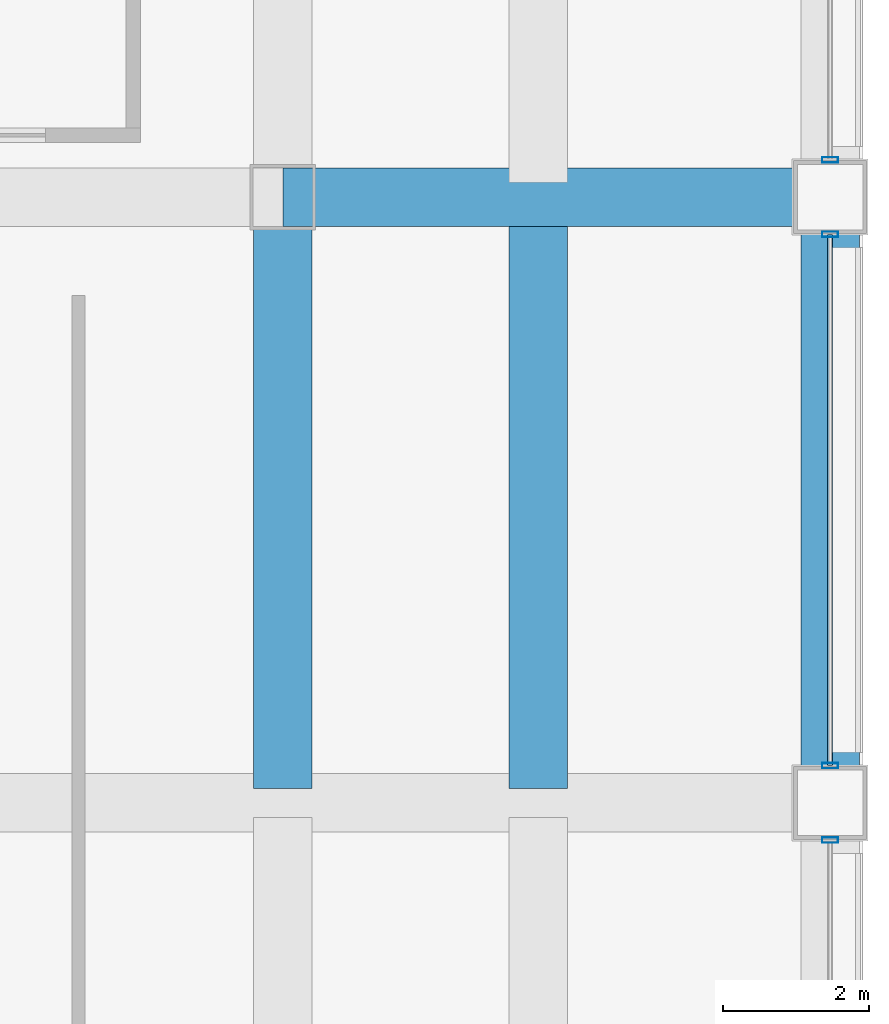
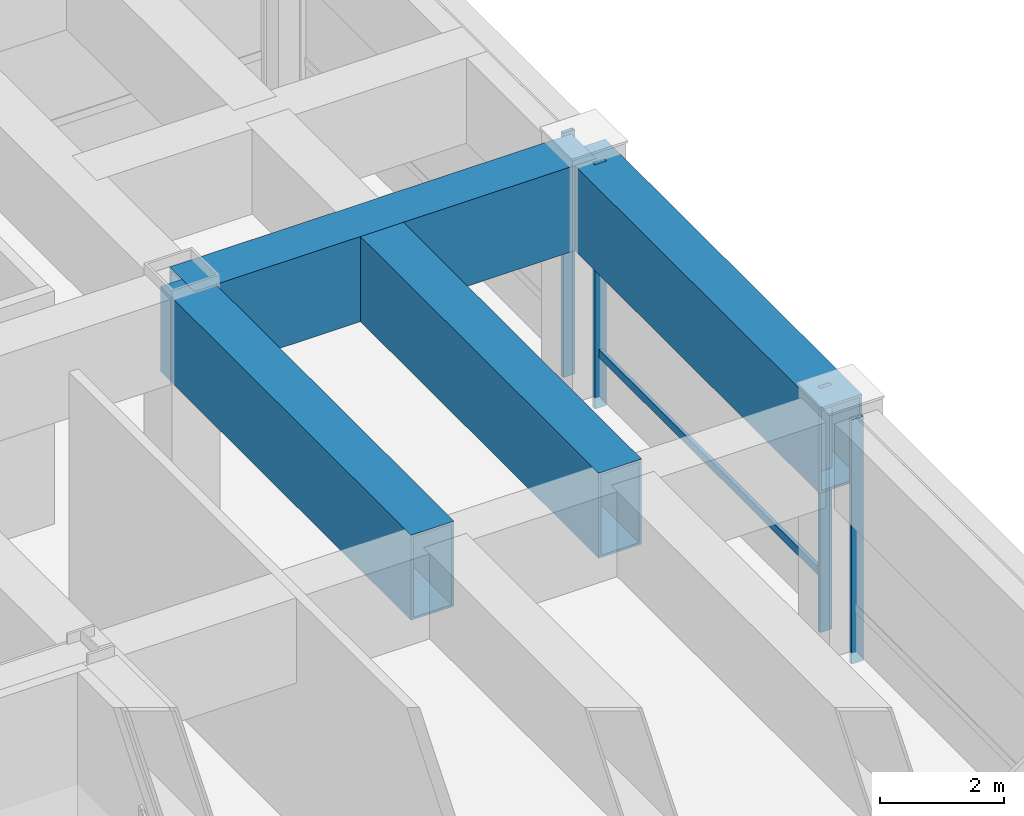
# One storey, part 21 of 30: 5 members, 4 beams, 3 elements without a shape of their own.
"""IFC4 building model written with IfcOpenShell, lengths in metres."""

from ifc_helpers import new_model, si_unit, direction, frame, origin, origin_2d, place, context, subcontext, project, spatial, hollow_rectangle, extrude, material, layer, layer_set, material_profile, profile_set, type_object, element, aggregate, save


model = new_model("IFC4")

# Units and contexts
model_context = context("Model", 3, precision=1e-05, world=origin(), true_north=direction((0.0, 1.0)))
body_context = subcontext(model_context, "Body", "Model", "MODEL_VIEW")
ifc_project = project(units=[si_unit("LENGTHUNIT", "METRE"), si_unit("AREAUNIT", "SQUARE_METRE"), si_unit("VOLUMEUNIT", "CUBIC_METRE"), si_unit("PLANEANGLEUNIT", "RADIAN"), si_unit("MASSUNIT", "GRAM", prefix="KILO")], contexts=[model_context])

# Site, building, storey
site_placement = place(None, origin())
site = spatial("IfcSite", under=ifc_project, at=site_placement, CompositionType="ELEMENT")
building_placement = place(site_placement, origin())
building = spatial("IfcBuilding", under=site, at=building_placement, Name="Brelmoor Portico Tower", CompositionType="ELEMENT")
storey_placement = place(building_placement, frame((0.0, 0.0, 19.199951171875)))
storey = spatial("IfcBuildingStorey", under=building, at=storey_placement, Name="L04", CompositionType="ELEMENT", Elevation=19.199951171875)

# Beams
ifc_material_1 = material(Name="Steel Q355B", Category="steel")
ifc_material_profile_1 = material_profile(ifc_material_1, hollow_rectangle(XDim=0.800048828125, YDim=1.679931640625, WallThickness=0.044921875, at=origin_2d()), Name="BOX 800x1680x45")
ifc_profile_set_1 = profile_set([ifc_material_profile_1], Name="Steel Q355B")
beam_type = type_object("IfcBeamType", Name="BM-TG-Z1", PredefinedType="BEAM", material=ifc_profile_set_1)
beam_1_placement = place(storey_placement, frame((28.550048828125, 9.75, 3.760009765625), z_axis=(0.0, 1.0, 0.0), x_axis=(-1.0, 0.0, 0.0)))
element("IfcBeam", 1, at=beam_1_placement, inside=storey, type_object=beam_type, Name="L04 Perimeter Transfer Beam SP-25", PredefinedType="BEAM", context=body_context, shape_type="SweptSolid", body=[
    extrude(hollow_rectangle(XDim=0.800048828125, YDim=1.679931640625, WallThickness=0.044921875, at=origin_2d()), origin(), (0.0, 0.0, 1.0), 8.300048828125),
])
beam_2_placement = place(storey_placement, frame((21.050048828125, 18.050048828125, 3.760009765625), z_axis=(1.0, 0.0, 0.0), x_axis=(0.0, 1.0, 0.0)))
element("IfcBeam", 2, at=beam_2_placement, inside=storey, type_object=beam_type, Name="L04 Setback Transfer Girder PG-43", PredefinedType="BEAM", context=body_context, shape_type="SweptSolid", body=[
    extrude(hollow_rectangle(XDim=0.800048828125, YDim=1.679931640625, WallThickness=0.044921875, at=origin_2d()), origin(), (0.0, 0.0, 1.0), 7.5),
])
beam_3_placement = place(storey_placement, frame((21.050048828125, 9.949951171875, 3.760009765625), z_axis=(0.0, 1.0, 0.0), x_axis=(-1.0, 0.0, 0.0)))
element("IfcBeam", 3, at=beam_3_placement, inside=storey, type_object=beam_type, Name="L04 Setback Transfer Girder TGN-37", PredefinedType="BEAM", context=body_context, shape_type="SweptSolid", body=[
    extrude(hollow_rectangle(XDim=0.800048828125, YDim=1.679931640625, WallThickness=0.044921875, at=origin_2d()), origin(), (0.0, 0.0, 1.0), 8.10009765625),
])
beam_4_placement = place(storey_placement, frame((24.550048828125, 9.949951171875, 3.760009765625), z_axis=(0.0, 1.0, 0.0), x_axis=(-1.0, 0.0, 0.0)))
element("IfcBeam", 4, at=beam_4_placement, inside=storey, type_object=beam_type, Name="L04 Setback Transfer Girder TGN-52", PredefinedType="BEAM", context=body_context, shape_type="SweptSolid", body=[
    extrude(hollow_rectangle(XDim=0.800048828125, YDim=1.679931640625, WallThickness=0.044921875, at=origin_2d()), origin(), (0.0, 0.0, 1.0), 7.900146484375),
])

# Curtain wall, member
ifc_material_2 = material(Name="Anodised Aluminium Alloy 6063-T6", Category="aluminium")
ifc_layer = layer(ifc_material_2, 0.179931640625)
ifc_layer_set = layer_set([ifc_layer], Name="Anodised Aluminium Alloy 6063-T6")
curtain_wall_type = type_object("IfcCurtainWallType", Name="CW-PODIUM-ARCH", PredefinedType="NOTDEFINED", material=ifc_layer_set)
curtain_wall_1_placement = place(storey_placement, origin())
curtain_wall_1 = element("IfcCurtainWall", 5, at=curtain_wall_1_placement, inside=storey, type_object=curtain_wall_type, Name="L04 Curtain Wall CW-L04-04-4", PredefinedType="NOTDEFINED")
ifc_material_profile_2 = material_profile(ifc_material_2, hollow_rectangle(XDim=0.074951171875, YDim=0.219970703125, WallThickness=0.0048828125, at=origin_2d()), Name="ALU MULLION 75x220")
ifc_profile_set_2 = profile_set([ifc_material_profile_2], Name="Anodised Aluminium Alloy 6063-T6")
member_type_1 = type_object("IfcMemberType", Name="MB-CW-MULL-220", PredefinedType="MULLION", material=ifc_profile_set_2)
member_1_placement = place(storey_placement, frame((28.550048828125, 9.239990234375, -0.219970703125), z_axis=(0.0, 0.0, 1.0), x_axis=(0.0, 1.0, 0.0)))
member_1 = element("IfcMember", 6, at=member_1_placement, type_object=member_type_1, Name="CW-L04-04-4 Mullion 01", PredefinedType="MULLION", context=body_context, shape_type="SweptSolid", body=[
    extrude(hollow_rectangle(XDim=0.074951171875, YDim=0.219970703125, WallThickness=0.0048828125, at=origin_2d()), origin(), (0.0, 0.0, 1.0), 4.820068359375),
])
aggregate(curtain_wall_1, [member_1])

# Curtain wall, members
curtain_wall_2_placement = place(storey_placement, origin())
curtain_wall_2 = element("IfcCurtainWall", 7, at=curtain_wall_2_placement, inside=storey, type_object=curtain_wall_type, Name="L04 Curtain Wall CW-L04-04-5", PredefinedType="NOTDEFINED")
member_2_placement = place(storey_placement, frame((28.550048828125, 10.260009765625, -0.219970703125), z_axis=(0.0, 0.0, 1.0), x_axis=(0.0, 1.0, 0.0)))
member_2 = element("IfcMember", 8, at=member_2_placement, type_object=member_type_1, Name="CW-L04-04-5 Mullion 00", PredefinedType="MULLION", context=body_context, shape_type="SweptSolid", body=[
    extrude(hollow_rectangle(XDim=0.074951171875, YDim=0.219970703125, WallThickness=0.0048828125, at=origin_2d()), origin(), (0.0, 0.0, 1.0), 4.820068359375),
])
member_3_placement = place(storey_placement, frame((28.550048828125, 17.5400390625, -0.219970703125), z_axis=(0.0, 0.0, 1.0), x_axis=(0.0, 1.0, 0.0)))
member_3 = element("IfcMember", 9, at=member_3_placement, type_object=member_type_1, Name="CW-L04-04-5 Mullion 01", PredefinedType="MULLION", context=body_context, shape_type="SweptSolid", body=[
    extrude(hollow_rectangle(XDim=0.074951171875, YDim=0.219970703125, WallThickness=0.0048828125, at=origin_2d()), origin(), (0.0, 0.0, 1.0), 4.820068359375),
])

# Curtain wall, member
curtain_wall_3_placement = place(storey_placement, origin())
curtain_wall_3 = element("IfcCurtainWall", 10, at=curtain_wall_3_placement, inside=storey, type_object=curtain_wall_type, Name="L04 Curtain Wall CW-L04-04-6", PredefinedType="NOTDEFINED")
member_4_placement = place(storey_placement, frame((28.550048828125, 18.56005859375, -0.219970703125), z_axis=(0.0, 0.0, 1.0), x_axis=(0.0, 1.0, 0.0)))
member_4 = element("IfcMember", 11, at=member_4_placement, type_object=member_type_1, Name="CW-L04-04-6 Mullion 00", PredefinedType="MULLION", context=body_context, shape_type="SweptSolid", body=[
    extrude(hollow_rectangle(XDim=0.074951171875, YDim=0.219970703125, WallThickness=0.0048828125, at=origin_2d()), origin(), (0.0, 0.0, 1.0), 4.820068359375),
])
aggregate(curtain_wall_3, [member_4])

# Member
ifc_material_profile_3 = material_profile(ifc_material_2, hollow_rectangle(XDim=0.070068359375, YDim=0.159912109375, WallThickness=0.00390625, at=origin_2d()), Name="ALU TRANSOM 70x160")
ifc_profile_set_3 = profile_set([ifc_material_profile_3], Name="Anodised Aluminium Alloy 6063-T6")
member_type_2 = type_object("IfcMemberType", Name="MB-CW-TRAN-160", PredefinedType="USERDEFINED", material=ifc_profile_set_3)
member_5_placement = place(storey_placement, frame((28.550048828125, 10.260009765625, 0.85009765625), z_axis=(0.0, 1.0, 0.0), x_axis=(-1.0, 0.0, 0.0)))
member_5 = element("IfcMember", 12, at=member_5_placement, type_object=member_type_2, Name="CW-L04-04-5 Transom 1-00", ObjectType="TRANSOM", PredefinedType="USERDEFINED", context=body_context, shape_type="SweptSolid", body=[
    extrude(hollow_rectangle(XDim=0.070068359375, YDim=0.159912109375, WallThickness=0.00390625, at=origin_2d()), origin(), (0.0, 0.0, 1.0), 7.280029296875),
])

aggregate(curtain_wall_2, [member_2, member_3, member_5])

save(model, "model.ifc")
